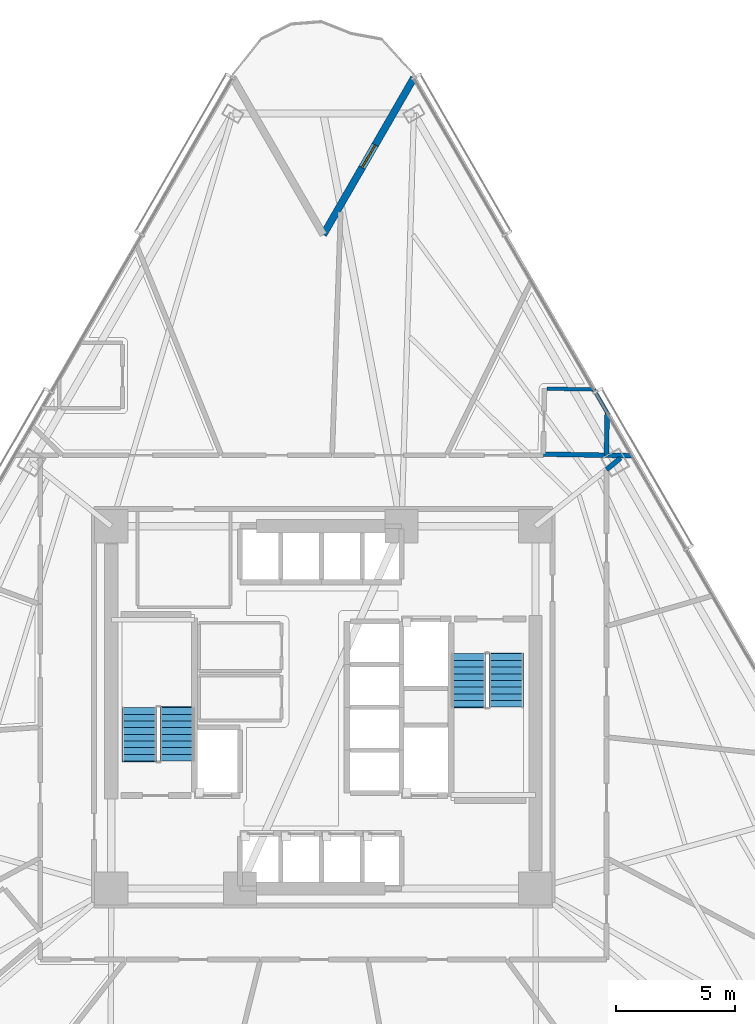
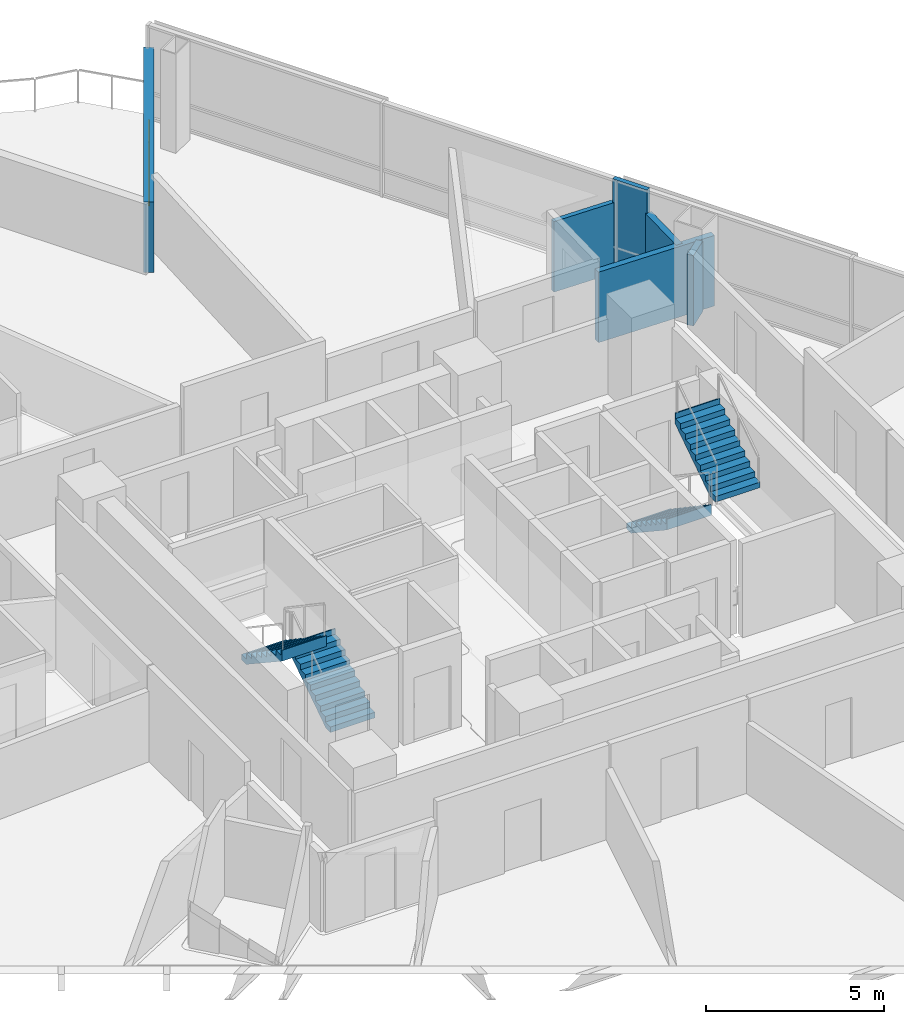
# One storey, part 10 of 16: 6 walls, 4 stair flights, 1 door, 1 opening, 2 elements without a shape of their own.
"""IFC4 building model written with IfcOpenShell, lengths in metres."""

from ifc_helpers import new_model, si_unit, direction, frame, frame_2d, origin, place, context, subcontext, project, spatial, polyline, rectangle, outline, extrude, material, layer, layer_set, type_object, element, fill, aggregate, save


model = new_model("IFC4")

# Units and contexts
model_context = context("Model", 3, precision=1e-05, world=origin(), true_north=direction((0.0, 1.0)))
body_context = subcontext(model_context, "Body", "Model", "MODEL_VIEW")
ifc_project = project(units=[si_unit("LENGTHUNIT", "METRE"), si_unit("AREAUNIT", "SQUARE_METRE"), si_unit("VOLUMEUNIT", "CUBIC_METRE"), si_unit("PLANEANGLEUNIT", "RADIAN"), si_unit("MASSUNIT", "GRAM", prefix="KILO")], contexts=[model_context])

# Site, building, storey
site_placement = place(None, origin())
site = spatial("IfcSite", under=ifc_project, at=site_placement, CompositionType="ELEMENT")
building_placement = place(site_placement, origin())
building = spatial("IfcBuilding", under=site, at=building_placement, Name="Tharavind Bronze Gate", CompositionType="ELEMENT")
storey_placement = place(building_placement, frame((0.0, 0.0, 45.449951171875)))
storey = spatial("IfcBuildingStorey", under=building, at=storey_placement, Name="L10", CompositionType="ELEMENT", Elevation=45.449951171875)

# Wall, opening, door
ifc_material_1 = material(Name="Concrete C40/50", Category="concrete")
ifc_layer_1 = layer(ifc_material_1, 0.300048828125)
ifc_layer_set_1 = layer_set([ifc_layer_1], Name="Concrete C40/50")
wall_type_1 = type_object("IfcWallType", Name="EXTERIOR SPANDREL WALL 300", PredefinedType="STANDARD", material=ifc_layer_set_1)
wall_1_placement = place(storey_placement, frame((3.800048828125, 26.418212890625, 0.0), z_axis=(0.0, 0.0, 1.0), x_axis=(-0.500005158081, -0.866022425744, 0.0)))
wall_1 = element("IfcWall", 1, at=wall_1_placement, inside=storey, type_object=wall_type_1, Name="L10 notch cheek wall 1A", PredefinedType="STANDARD", context=body_context, shape_type="SweptSolid", body=[
    extrude(rectangle(XDim=7.60009765625, YDim=0.300048828125, at=frame_2d((3.800048828125, 0.0))), origin(), (0.0, 0.0, 1.0), 2.420166015625),
])
opening_placement = place(wall_1_placement, frame((3.25, 0.0, 0.0)))
opening = element("IfcOpeningElement", 2, at=opening_placement, cuts=wall_1, Name="Opening ED04", PredefinedType="OPENING", context=body_context, shape_type="SweptSolid", body=[
    extrude(rectangle(XDim=1.10009765625, YDim=2.199951171875, at=frame_2d((0.550048828125, 1.10009765625))), frame((0.0, 0.15990234375, 0.0), z_axis=(0.0, -1.0, 0.0), x_axis=(1.0, 0.0, 0.0)), (0.0, 0.0, 1.0), 0.320048828125),
])
ifc_material_2 = material(Name="Bronze Aluminium & Toughened Glass", Category="aluminium")
door_type = type_object("IfcDoorType", Name="TREE BALCONY ACCESS DOOR 1100X2200", OperationType="SINGLE_SWING_LEFT", PredefinedType="DOOR", material=ifc_material_2)
door_placement = place(opening_placement, origin())
door = element("IfcDoor", 3, at=door_placement, inside=storey, type_object=door_type, Name="L10 tree balcony access door", OperationType="SINGLE_SWING_LEFT", OverallHeight=2.199951171875, OverallWidth=1.10009765625, PredefinedType="DOOR", context=body_context, shape_type="SweptSolid", body=[
    extrude(rectangle(XDim=1.10009765625, YDim=2.199951171875, at=frame_2d((0.550048828125, 1.10009765625))), frame((0.0, 0.02490234375, 0.0), z_axis=(0.0, -1.0, 0.0), x_axis=(1.0, 0.0, 0.0)), (0.0, 0.0, 1.0), 0.050048828125),
])
fill(opening, door)

# Walls
ifc_material_3 = material(Name="Aerated Concrete Block", Category="concrete")
ifc_layer_2 = layer(ifc_material_3, 0.199951171875)
ifc_layer_set_2 = layer_set([ifc_layer_2], Name="Aerated Concrete Block")
wall_type_2 = type_object("IfcWallType", Name="FIRE RATED PARTITION 200", PredefinedType="PARTITIONING", material=ifc_layer_set_2)
wall_2_placement = place(storey_placement, frame((11.912109375, 12.367431640625, 0.0), z_axis=(0.0, 0.0, 1.0), x_axis=(-0.018027393678, -0.999837493334, 0.0)))
element("IfcWall", 4, at=wall_2_placement, inside=storey, type_object=wall_type_2, Name="L10 En-Suite Bathroom partition", PredefinedType="PARTITIONING", context=body_context, shape_type="SweptSolid", body=[
    extrude(rectangle(XDim=1.78759765625, YDim=0.199951171875, at=frame_2d((0.893798828125, 0.0))), origin(), (0.0, 0.0, 1.0), 2.420166015625),
])
wall_3_placement = place(storey_placement, frame((12.955322265625, 10.560546875, 0.0), z_axis=(0.0, 0.0, 1.0), x_axis=(-0.99983759803, 0.018021586122, 0.0)))
element("IfcWall", 5, at=wall_3_placement, inside=storey, type_object=wall_type_2, Name="L10 En-Suite Bathroom partition", PredefinedType="PARTITIONING", context=body_context, shape_type="SweptSolid", body=[
    extrude(rectangle(XDim=3.725341796875, YDim=0.199951171875, at=frame_2d((1.86279296875, 0.0))), origin(), (0.0, 0.0, 1.0), 2.420166015625),
])
wall_4_placement = place(storey_placement, frame((11.888916015625, 9.97607421875, 0.0), z_axis=(0.0, 0.0, 1.0), x_axis=(0.765977080276, 0.642867881054, 0.0)))
element("IfcWall", 6, at=wall_4_placement, inside=storey, type_object=wall_type_2, Name="L10 Hotel Guest Lounge partition", PredefinedType="PARTITIONING", context=body_context, shape_type="SweptSolid", body=[
    extrude(rectangle(XDim=0.759521484375, YDim=0.199951171875, at=frame_2d((0.3798828125, 0.0))), origin(), (0.0, 0.0, 1.0), 2.420166015625),
])
ifc_material_4 = material(Name="Twin Stud Acoustic Gypsum", Category="gypsum")
ifc_layer_3 = layer(ifc_material_4, 0.14990234375)
ifc_layer_set_3 = layer_set([ifc_layer_3], Name="Twin Stud Acoustic Gypsum")
wall_type_3 = type_object("IfcWallType", Name="INTERIOR PARTITION WALL 150", PredefinedType="PARTITIONING", material=ifc_layer_set_3)
wall_5_placement = place(storey_placement, frame((9.385009765625, 13.37548828125, 0.0), z_axis=(0.0, 0.0, 1.0), x_axis=(0.999837856061, -0.018007264828, 0.0)))
element("IfcWall", 7, at=wall_5_placement, inside=storey, type_object=wall_type_3, Name="L10 En-Suite Bathroom partition", PredefinedType="PARTITIONING", context=body_context, shape_type="SweptSolid", body=[
    extrude(rectangle(XDim=1.9658203125, YDim=0.14990234375, at=frame_2d((0.98291015625, 0.0))), origin(), (0.0, 0.0, 1.0), 2.420166015625),
])
wall_6_placement = place(storey_placement, frame((11.3505859375, 13.340087890625, 0.0), z_axis=(0.0, 0.0, 1.0), x_axis=(0.499973348067, -0.866040790738, 0.0)))
element("IfcWall", 8, at=wall_6_placement, inside=storey, type_object=wall_type_3, Name="L10 En-Suite Bathroom partition", PredefinedType="PARTITIONING", context=body_context, shape_type="SweptSolid", body=[
    extrude(rectangle(XDim=1.123046875, YDim=0.14990234375, at=frame_2d((0.5615234375, 0.0))), origin(), (0.0, 0.0, 1.0), 3.22509765625),
])

# Stair, stair flights
stair_type = type_object("IfcStairType", Name="CORE HALF TURN STAIR 1450", PredefinedType="HALF_TURN_STAIR", material=ifc_material_1)
stair_1_placement = place(storey_placement, origin())
stair_1 = element("IfcStair", 9, at=stair_1_placement, inside=storey, type_object=stair_type, Name="L10 Protected Exit Stair ST1", PredefinedType="HALF_TURN_STAIR")
stair_flight_type = type_object("IfcStairFlightType", Name="CORE STAIR FLIGHT 1450", PredefinedType="STRAIGHT", material=ifc_material_1)
stair_flight_1_placement = place(storey_placement, frame((-6.125, -2.25, 0.0), z_axis=(0.0, 0.0, 1.0), x_axis=(0.0, 1.0, 0.0)))
stair_flight_1 = element("IfcStairFlight", 10, at=stair_flight_1_placement, type_object=stair_flight_type, Name="ST1 flight 1", NumberOfRisers=9, NumberOfTreads=8, PredefinedType="STRAIGHT", RiserHeight=0.188888889, TreadLength=0.28, context=body_context, shape_type="SweptSolid", body=[
    extrude(outline(polyline([(0.0, 0.0), (0.0, 0.18896484375), (0.280029296875, 0.18896484375), (0.280029296875, 0.377685546875), (0.56005859375, 0.377685546875), (0.56005859375, 0.566650390625), (0.840087890625, 0.566650390625), (0.840087890625, 0.755615234375), (1.1201171875, 0.755615234375), (1.1201171875, 0.9443359375), (1.39990234375, 0.9443359375), (1.39990234375, 1.13330078125), (1.679931640625, 1.13330078125), (1.679931640625, 1.322265625), (1.9599609375, 1.322265625), (1.9599609375, 1.51123046875), (2.239990234375, 1.51123046875), (2.239990234375, 1.699951171875), (2.27587890625, 1.699951171875), (2.27587890625, 1.330322265625), (0.26806640625, 0.0), (0.0, 0.0)])), frame((0.0, 0.72509765625, 0.0), z_axis=(0.0, -1.0, 0.0), x_axis=(1.0, 0.0, 0.0)), (0.0, 0.0, 1.0), 1.449951171875),
])
stair_flight_2_placement = place(storey_placement, frame((-7.72509765625, -0.010009765625, 1.699951171875), z_axis=(0.0, 0.0, 1.0), x_axis=(0.0, -1.0, 0.0)))
stair_flight_2 = element("IfcStairFlight", 11, at=stair_flight_2_placement, type_object=stair_flight_type, Name="ST1 flight 2", NumberOfRisers=9, NumberOfTreads=8, PredefinedType="STRAIGHT", RiserHeight=0.188888889, TreadLength=0.28, context=body_context, shape_type="SweptSolid", body=[
    extrude(outline(polyline([(0.0, 0.0), (0.0, 0.18896484375), (0.280029296875, 0.18896484375), (0.280029296875, 0.377685546875), (0.56005859375, 0.377685546875), (0.56005859375, 0.566650390625), (0.840087890625, 0.566650390625), (0.840087890625, 0.755615234375), (1.1201171875, 0.755615234375), (1.1201171875, 0.9443359375), (1.39990234375, 0.9443359375), (1.39990234375, 1.13330078125), (1.679931640625, 1.13330078125), (1.679931640625, 1.322265625), (1.9599609375, 1.322265625), (1.9599609375, 1.51123046875), (2.239990234375, 1.51123046875), (2.239990234375, 1.699951171875), (2.27587890625, 1.699951171875), (2.27587890625, 1.330322265625), (0.26806640625, 0.0), (0.0, 0.0)])), frame((0.0, 0.72509765625, 0.0), z_axis=(0.0, -1.0, 0.0), x_axis=(1.0, 0.0, 0.0)), (0.0, 0.0, 1.0), 1.449951171875),
])
aggregate(stair_1, [stair_flight_1, stair_flight_2])

stair_2_placement = place(storey_placement, origin())
stair_2 = element("IfcStair", 12, at=stair_2_placement, inside=storey, type_object=stair_type, Name="L10 Protected Exit Stair ST2", PredefinedType="HALF_TURN_STAIR")
stair_flight_3_placement = place(storey_placement, frame((6.074951171875, 2.25, 0.0), z_axis=(0.0, 0.0, 1.0), x_axis=(0.0, -1.0, 0.0)))
stair_flight_3 = element("IfcStairFlight", 13, at=stair_flight_3_placement, type_object=stair_flight_type, Name="ST2 flight 1", NumberOfRisers=9, NumberOfTreads=8, PredefinedType="STRAIGHT", RiserHeight=0.188888889, TreadLength=0.28, context=body_context, shape_type="SweptSolid", body=[
    extrude(outline(polyline([(0.0, 0.0), (0.0, 0.18896484375), (0.280029296875, 0.18896484375), (0.280029296875, 0.377685546875), (0.56005859375, 0.377685546875), (0.56005859375, 0.566650390625), (0.840087890625, 0.566650390625), (0.840087890625, 0.755615234375), (1.1201171875, 0.755615234375), (1.1201171875, 0.9443359375), (1.39990234375, 0.9443359375), (1.39990234375, 1.13330078125), (1.679931640625, 1.13330078125), (1.679931640625, 1.322265625), (1.9599609375, 1.322265625), (1.9599609375, 1.51123046875), (2.239990234375, 1.51123046875), (2.239990234375, 1.699951171875), (2.27587890625, 1.699951171875), (2.27587890625, 1.330322265625), (0.26806640625, 0.0), (0.0, 0.0)])), frame((0.0, 0.72509765625, 0.0), z_axis=(0.0, -1.0, 0.0), x_axis=(1.0, 0.0, 0.0)), (0.0, 0.0, 1.0), 1.449951171875),
])
stair_flight_4_placement = place(storey_placement, frame((7.675048828125, 0.010009765625, 1.699951171875), z_axis=(0.0, 0.0, 1.0), x_axis=(0.0, 1.0, 0.0)))
stair_flight_4 = element("IfcStairFlight", 14, at=stair_flight_4_placement, type_object=stair_flight_type, Name="ST2 flight 2", NumberOfRisers=9, NumberOfTreads=8, PredefinedType="STRAIGHT", RiserHeight=0.188888889, TreadLength=0.28, context=body_context, shape_type="SweptSolid", body=[
    extrude(outline(polyline([(0.0, 0.0), (0.0, 0.18896484375), (0.280029296875, 0.18896484375), (0.280029296875, 0.377685546875), (0.56005859375, 0.377685546875), (0.56005859375, 0.566650390625), (0.840087890625, 0.566650390625), (0.840087890625, 0.755615234375), (1.1201171875, 0.755615234375), (1.1201171875, 0.9443359375), (1.39990234375, 0.9443359375), (1.39990234375, 1.13330078125), (1.679931640625, 1.13330078125), (1.679931640625, 1.322265625), (1.9599609375, 1.322265625), (1.9599609375, 1.51123046875), (2.239990234375, 1.51123046875), (2.239990234375, 1.699951171875), (2.27587890625, 1.699951171875), (2.27587890625, 1.330322265625), (0.26806640625, 0.0), (0.0, 0.0)])), frame((0.0, 0.72509765625, 0.0), z_axis=(0.0, -1.0, 0.0), x_axis=(1.0, 0.0, 0.0)), (0.0, 0.0, 1.0), 1.449951171875),
])
aggregate(stair_2, [stair_flight_3, stair_flight_4])

save(model, "model.ifc")
